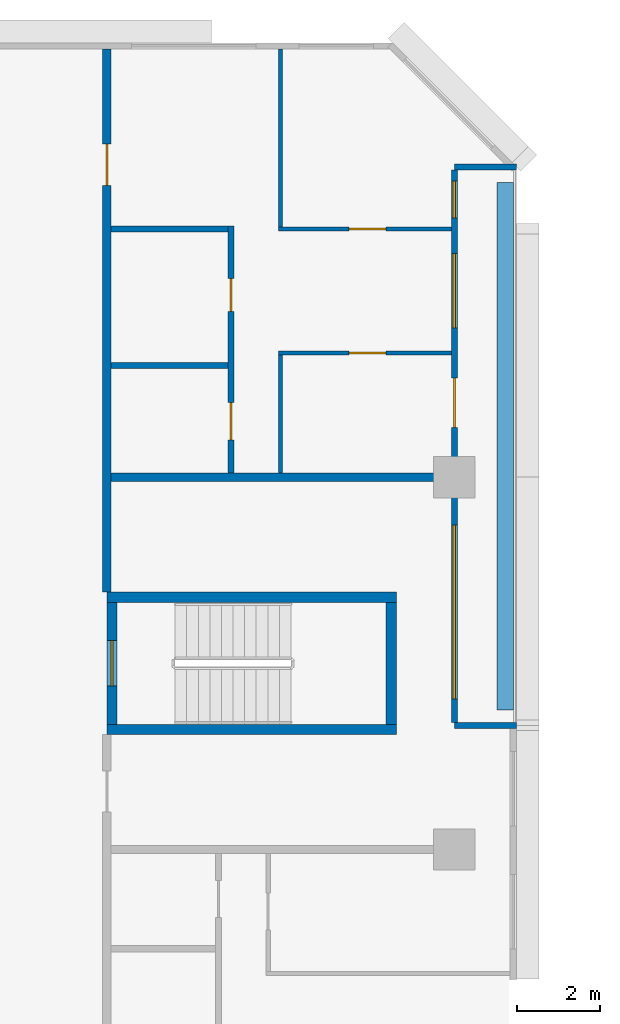
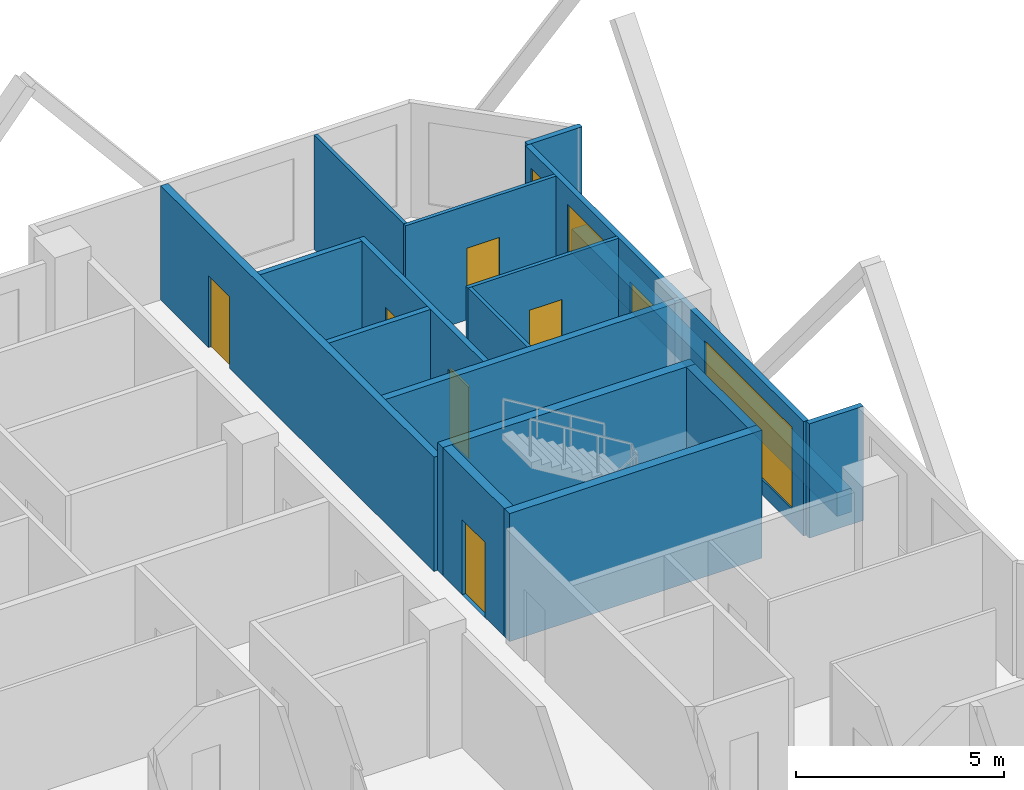
# One storey, part 10 of 14: 17 walls, 7 doors, 3 windows, 10 openings.
"""IFC4 building model written with IfcOpenShell, lengths in metres."""

from ifc_helpers import new_model, si_unit, direction, frame, frame_2d, origin, place, context, subcontext, project, spatial, rectangle, extrude, material, layer, layer_set, type_object, element, fill, save


model = new_model("IFC4")

# Units and contexts
model_context = context("Model", 3, precision=1e-05, world=origin(), true_north=direction((0.0, 1.0)))
body_context = subcontext(model_context, "Body", "Model", "MODEL_VIEW")
ifc_project = project(units=[si_unit("LENGTHUNIT", "METRE"), si_unit("AREAUNIT", "SQUARE_METRE"), si_unit("VOLUMEUNIT", "CUBIC_METRE"), si_unit("PLANEANGLEUNIT", "RADIAN"), si_unit("MASSUNIT", "GRAM", prefix="KILO")], contexts=[model_context])

# Site, building, storey
site_placement = place(None, origin())
site = spatial("IfcSite", under=ifc_project, at=site_placement, CompositionType="ELEMENT")
building_placement = place(site_placement, origin())
building = spatial("IfcBuilding", under=site, at=building_placement, Name="Chenar Terraces", CompositionType="ELEMENT")
storey_placement = place(building_placement, frame((0.0, 0.0, 91.89990234375)))
storey = spatial("IfcBuildingStorey", under=building, at=storey_placement, Name="L20", CompositionType="ELEMENT", Elevation=91.89990234375)

# Walls
ifc_material_1 = material(Name="Concrete C70/85", Category="concrete")
ifc_layer_1 = layer(ifc_material_1, 0.25)
ifc_layer_set_1 = layer_set([ifc_layer_1], Name="Concrete C70/85")
wall_type_1 = type_object("IfcWallType", Name="Core wall 250 Concrete C70/85", PredefinedType="SHEAR", material=ifc_layer_set_1)
for number, where, z_axis, x_axis, name in (
    (1, (15.60009765625, 47.89990234375, 0.0), (0.0, 0.0, 1.0), (1.0, 0.0, 0.0), "Core wall ST4_S L20"),
    (2, (15.60009765625, 51.10009765625, 0.0), (0.0, 0.0, 1.0), (1.0, 0.0, 0.0), "Core wall ST4_N L20"),
):
    element("IfcWall", number, at=place(storey_placement, frame(where, z_axis=z_axis, x_axis=x_axis)), inside=storey, type_object=wall_type_1, Name=name, PredefinedType="SHEAR", context=body_context, shape_type="SweptSolid", body=[
        extrude(rectangle(XDim=7.0, YDim=0.25, at=frame_2d((3.5, 0.0))), origin(), (0.0, 0.0, 1.0), 3.75),
    ])

# Wall, opening, door
wall_1_placement = place(storey_placement, frame((15.72509765625, 48.02490234375, 0.0), z_axis=(0.0, 0.0, 1.0), x_axis=(0.0, 1.0, 0.0)))
wall_1 = element("IfcWall", 3, at=wall_1_placement, inside=storey, type_object=wall_type_1, Name="Core wall ST4_W L20", PredefinedType="SHEAR", context=body_context, shape_type="SweptSolid", body=[
    extrude(rectangle(XDim=2.9501953125, YDim=0.25, at=frame_2d((1.47509765625, 0.0))), origin(), (0.0, 0.0, 1.0), 3.75),
])
opening_1_placement = place(wall_1_placement, frame((0.925048828125, 0.0, 0.0)))
opening_1 = element("IfcOpeningElement", 4, at=opening_1_placement, cuts=wall_1, Name="Opening DL20-C9", PredefinedType="OPENING", context=body_context, shape_type="SweptSolid", body=[
    extrude(rectangle(XDim=1.10009765625, YDim=2.199951171875, at=frame_2d((0.550048828125, 1.10009765625))), frame((0.0, 0.135009765625, 0.0), z_axis=(0.0, -1.0, 0.0), x_axis=(1.0, 0.0, 0.0)), (0.0, 0.0, 1.0), 0.27001953125),
])
ifc_material_2 = material(Name="Steel-framed fire-resisting door leaf", Category="steel")
door_type_1 = type_object("IfcDoorType", Name="Stair fire door FD60 1100 x 2200", OperationType="SINGLE_SWING_LEFT", PredefinedType="DOOR", material=ifc_material_2)
door_1_placement = place(opening_1_placement, frame((1.10009765625, 0.0, 0.0), z_axis=(0.0, 0.0, 1.0), x_axis=(-1.0, 0.0, 0.0)))
door_1 = element("IfcDoor", 5, at=door_1_placement, inside=storey, type_object=door_type_1, Name="Stair door DL20-C9", OperationType="SINGLE_SWING_RIGHT", OverallHeight=2.199951171875, OverallWidth=1.10009765625, PredefinedType="DOOR", context=body_context, shape_type="SweptSolid", body=[
    extrude(rectangle(XDim=1.10009765625, YDim=2.199951171875, at=frame_2d((0.550048828125, 1.10009765625))), frame((0.0, 0.02490234375, 0.0), z_axis=(0.0, -1.0, 0.0), x_axis=(1.0, 0.0, 0.0)), (0.0, 0.0, 1.0), 0.050048828125),
])
fill(opening_1, door_1)

# Wall
wall_2_placement = place(storey_placement, frame((22.47509765625, 48.02490234375, 0.0), z_axis=(0.0, 0.0, 1.0), x_axis=(0.0, 1.0, 0.0)))
element("IfcWall", 6, at=wall_2_placement, inside=storey, type_object=wall_type_1, Name="Core wall ST4_E L20", PredefinedType="SHEAR", context=body_context, shape_type="SweptSolid", body=[
    extrude(rectangle(XDim=2.9501953125, YDim=0.25, at=frame_2d((1.47509765625, 0.0))), origin(), (0.0, 0.0, 1.0), 3.75),
])

# Wall, opening, door
ifc_material_3 = material(Name="Gypsum board on steel studs with fire boards", Category="steel")
ifc_layer_2 = layer(ifc_material_3, 0.199951171875)
ifc_layer_set_2 = layer_set([ifc_layer_2], Name="Gypsum board on steel studs with fire boards")
wall_type_2 = type_object("IfcWallType", Name="Corridor wall 200", PredefinedType="PARTITIONING", material=ifc_layer_set_2)
wall_3_placement = place(storey_placement, frame((15.60009765625, 51.22509765625, 0.0), z_axis=(0.0, 0.0, 1.0), x_axis=(0.0, 1.0, 0.0)))
wall_3 = element("IfcWall", 7, at=wall_3_placement, inside=storey, type_object=wall_type_2, Name="Partition L20-039", PredefinedType="PARTITIONING", context=body_context, shape_type="SweptSolid", body=[
    extrude(rectangle(XDim=13.125, YDim=0.199951171875, at=frame_2d((6.5625, 0.0))), origin(), (0.0, 0.0, 1.0), 3.35009765625),
])
opening_2_placement = place(wall_3_placement, frame((9.824951171875, 0.0, 0.0)))
opening_2 = element("IfcOpeningElement", 8, at=opening_2_placement, cuts=wall_3, Name="Opening DL20-34", PredefinedType="OPENING", context=body_context, shape_type="SweptSolid", body=[
    extrude(rectangle(XDim=1.0, YDim=2.10009765625, at=frame_2d((0.5, 1.050048828125))), frame((0.0, 0.10986328125, 0.0), z_axis=(0.0, -1.0, 0.0), x_axis=(1.0, 0.0, 0.0)), (0.0, 0.0, 1.0), 0.219970703125),
])
ifc_material_4 = material(Name="Steel-framed fire-resisting door leaf", Category="steel")
door_type_2 = type_object("IfcDoorType", Name="Fire door FD30S 1000 x 2100", OperationType="SINGLE_SWING_LEFT", PredefinedType="DOOR", material=ifc_material_4)
door_2_placement = place(opening_2_placement, frame((1.0, 0.0, 0.0), z_axis=(0.0, 0.0, 1.0), x_axis=(-1.0, 0.0, 0.0)))
door_2 = element("IfcDoor", 9, at=door_2_placement, inside=storey, type_object=door_type_2, Name="Door DL20-34", OperationType="SINGLE_SWING_RIGHT", OverallHeight=2.10009765625, OverallWidth=1.0, PredefinedType="DOOR", context=body_context, shape_type="SweptSolid", body=[
    extrude(rectangle(XDim=1.0, YDim=2.10009765625, at=frame_2d((0.5, 1.050048828125))), frame((0.0, 0.02490234375, 0.0), z_axis=(0.0, -1.0, 0.0), x_axis=(1.0, 0.0, 0.0)), (0.0, 0.0, 1.0), 0.050048828125),
])
fill(opening_2, door_2)

# Wall, openings, windows, door
ifc_material_5 = material(Name="Aluminium framed glazing", Category="aluminium")
ifc_layer_3 = layer(ifc_material_5, 0.14990234375)
ifc_layer_set_3 = layer_set([ifc_layer_3], Name="Aluminium framed glazing")
wall_type_3 = type_object("IfcWallType", Name="Glazed loggia back wall 150", PredefinedType="SOLIDWALL", material=ifc_layer_set_3)
wall_4_placement = place(storey_placement, frame((24.0, 48.074951171875, 0.0), z_axis=(0.0, 0.0, 1.0), x_axis=(0.0, 1.0, 0.0)))
wall_4 = element("IfcWall", 10, at=wall_4_placement, inside=storey, type_object=wall_type_3, Name="Glazed loggia back wall", PredefinedType="SOLIDWALL", context=body_context, shape_type="SweptSolid", body=[
    extrude(rectangle(XDim=13.35009765625, YDim=0.14990234375, at=frame_2d((6.675048828125, 0.0))), origin(), (0.0, 0.0, 1.0), 3.35009765625),
])
opening_3_placement = place(wall_4_placement, frame((0.5625, 0.0, 0.449951171875)))
opening_3 = element("IfcOpeningElement", 11, at=opening_3_placement, cuts=wall_4, Name="Opening W420x240", PredefinedType="OPENING", context=body_context, shape_type="SweptSolid", body=[
    extrude(rectangle(XDim=4.199951171875, YDim=2.39990234375, at=frame_2d((2.10009765625, 1.199951171875))), frame((0.0, 0.0849609375, 0.0), z_axis=(0.0, -1.0, 0.0), x_axis=(1.0, 0.0, 0.0)), (0.0, 0.0, 1.0), 0.169921875),
])
opening_4_placement = place(wall_4_placement, frame((7.125, 0.0, 0.0)))
opening_4 = element("IfcOpeningElement", 12, at=opening_4_placement, cuts=wall_4, Name="Opening DL20-G2", PredefinedType="OPENING", context=body_context, shape_type="SweptSolid", body=[
    extrude(rectangle(XDim=1.199951171875, YDim=2.39990234375, at=frame_2d((0.60009765625, 1.199951171875))), frame((0.0, 0.0849609375, 0.0), z_axis=(0.0, -1.0, 0.0), x_axis=(1.0, 0.0, 0.0)), (0.0, 0.0, 1.0), 0.169921875),
])
opening_5_placement = place(wall_4_placement, frame((9.52490234375, 0.0, 0.449951171875)))
opening_5 = element("IfcOpeningElement", 13, at=opening_5_placement, cuts=wall_4, Name="Opening W180x240", PredefinedType="OPENING", context=body_context, shape_type="SweptSolid", body=[
    extrude(rectangle(XDim=1.800048828125, YDim=2.39990234375, at=frame_2d((0.89990234375, 1.199951171875))), frame((0.0, 0.0849609375, 0.0), z_axis=(0.0, -1.0, 0.0), x_axis=(1.0, 0.0, 0.0)), (0.0, 0.0, 1.0), 0.169921875),
])
opening_6_placement = place(wall_4_placement, frame((12.1875, 0.0, 0.449951171875)))
opening_6 = element("IfcOpeningElement", 14, at=opening_6_placement, cuts=wall_4, Name="Opening W90x240", PredefinedType="OPENING", context=body_context, shape_type="SweptSolid", body=[
    extrude(rectangle(XDim=0.89990234375, YDim=2.39990234375, at=frame_2d((0.449951171875, 1.199951171875))), frame((0.0, 0.0849609375, 0.0), z_axis=(0.0, -1.0, 0.0), x_axis=(1.0, 0.0, 0.0)), (0.0, 0.0, 1.0), 0.169921875),
])
ifc_material_6 = material(Name="Low emissivity double glazing, aluminium frame", Category="aluminium")
window_type_1 = type_object("IfcWindowType", Name="Fixed light 1800 x 2400", PartitioningType="SINGLE_PANEL", PredefinedType="WINDOW", material=ifc_material_6)
window_1_placement = place(opening_5_placement, origin())
window_1 = element("IfcWindow", 15, at=window_1_placement, inside=storey, type_object=window_type_1, Name="Window", OverallHeight=2.39990234375, OverallWidth=1.800048828125, PartitioningType="SINGLE_PANEL", PredefinedType="WINDOW", context=body_context, shape_type="SweptSolid", body=[
    extrude(rectangle(XDim=1.800048828125, YDim=2.39990234375, at=frame_2d((0.89990234375, 1.199951171875))), frame((0.0, 0.030029296875, 0.0), z_axis=(0.0, -1.0, 0.0), x_axis=(1.0, 0.0, 0.0)), (0.0, 0.0, 1.0), 0.06005859375),
])
fill(opening_5, window_1)
ifc_material_7 = material(Name="Low emissivity double glazing, aluminium frame", Category="aluminium")
window_type_2 = type_object("IfcWindowType", Name="Fixed light 4200 x 2400", PartitioningType="SINGLE_PANEL", PredefinedType="WINDOW", material=ifc_material_7)
window_2_placement = place(opening_3_placement, origin())
window_2 = element("IfcWindow", 16, at=window_2_placement, inside=storey, type_object=window_type_2, Name="Window", OverallHeight=2.39990234375, OverallWidth=4.199951171875, PartitioningType="SINGLE_PANEL", PredefinedType="WINDOW", context=body_context, shape_type="SweptSolid", body=[
    extrude(rectangle(XDim=4.199951171875, YDim=2.39990234375, at=frame_2d((2.10009765625, 1.199951171875))), frame((0.0, 0.030029296875, 0.0), z_axis=(0.0, -1.0, 0.0), x_axis=(1.0, 0.0, 0.0)), (0.0, 0.0, 1.0), 0.06005859375),
])
fill(opening_3, window_2)
ifc_material_8 = material(Name="Low emissivity double glazing, aluminium frame", Category="aluminium")
window_type_3 = type_object("IfcWindowType", Name="Fixed light 900 x 2400", PartitioningType="SINGLE_PANEL", PredefinedType="WINDOW", material=ifc_material_8)
window_3_placement = place(opening_6_placement, origin())
window_3 = element("IfcWindow", 17, at=window_3_placement, inside=storey, type_object=window_type_3, Name="Window", OverallHeight=2.39990234375, OverallWidth=0.89990234375, PartitioningType="SINGLE_PANEL", PredefinedType="WINDOW", context=body_context, shape_type="SweptSolid", body=[
    extrude(rectangle(XDim=0.89990234375, YDim=2.39990234375, at=frame_2d((0.449951171875, 1.199951171875))), frame((0.0, 0.030029296875, 0.0), z_axis=(0.0, -1.0, 0.0), x_axis=(1.0, 0.0, 0.0)), (0.0, 0.0, 1.0), 0.06005859375),
])
fill(opening_6, window_3)
ifc_material_9 = material(Name="Low emissivity double glazing, aluminium frame", Category="aluminium")
door_type_3 = type_object("IfcDoorType", Name="Loggia glazed double door 1200 x 2400", OperationType="DOUBLE_DOOR_SINGLE_SWING", PredefinedType="DOOR", material=ifc_material_9)
door_3_placement = place(opening_4_placement, frame((1.199951171875, 0.0, 0.0), z_axis=(0.0, 0.0, 1.0), x_axis=(-1.0, 0.0, 0.0)))
door_3 = element("IfcDoor", 18, at=door_3_placement, inside=storey, type_object=door_type_3, Name="Loggia glazed door", OperationType="DOUBLE_DOOR_SINGLE_SWING", OverallHeight=2.39990234375, OverallWidth=1.199951171875, PredefinedType="DOOR", context=body_context, shape_type="SweptSolid", body=[
    extrude(rectangle(XDim=1.199951171875, YDim=2.39990234375, at=frame_2d((0.60009765625, 1.199951171875))), frame((0.0, 0.02490234375, 0.0), z_axis=(0.0, -1.0, 0.0), x_axis=(1.0, 0.0, 0.0)), (0.0, 0.0, 1.0), 0.050048828125),
])
fill(opening_4, door_3)

# Wall, opening, door
ifc_material_10 = material(Name="Gypsum board on steel studs", Category="steel")
ifc_layer_4 = layer(ifc_material_10, 0.10009765625)
ifc_layer_set_4 = layer_set([ifc_layer_4], Name="Gypsum board on steel studs")
wall_type_4 = type_object("IfcWallType", Name="Gypsum partition 100", PredefinedType="PARTITIONING", material=ifc_layer_set_4)
wall_5_placement = place(storey_placement, frame((19.75, 57.0, 0.0), z_axis=(0.0, 0.0, 1.0), x_axis=(1.0, 0.0, 0.0)))
wall_5 = element("IfcWall", 19, at=wall_5_placement, inside=storey, type_object=wall_type_4, Name="Partition L20-055", PredefinedType="PARTITIONING", context=body_context, shape_type="SweptSolid", body=[
    extrude(rectangle(XDim=4.176025390625, YDim=0.10009765625, at=frame_2d((2.087890625, 0.0))), origin(), (0.0, 0.0, 1.0), 3.35009765625),
])
opening_7_placement = place(wall_5_placement, frame((1.699951171875, 0.0, 0.0)))
opening_7 = element("IfcOpeningElement", 20, at=opening_7_placement, cuts=wall_5, Name="Opening DL20-31", PredefinedType="OPENING", context=body_context, shape_type="SweptSolid", body=[
    extrude(rectangle(XDim=0.89990234375, YDim=2.10009765625, at=frame_2d((0.449951171875, 1.050048828125))), frame((0.0, 0.06005859375, 0.0), z_axis=(0.0, -1.0, 0.0), x_axis=(1.0, 0.0, 0.0)), (0.0, 0.0, 1.0), 0.1201171875),
])
ifc_material_11 = material(Name="Veneered timber door leaf", Category="wood")
door_type_4 = type_object("IfcDoorType", Name="Door 900 x 2100", OperationType="SINGLE_SWING_LEFT", PredefinedType="DOOR", material=ifc_material_11)
door_4_placement = place(opening_7_placement, frame((0.89990234375, 0.0, 0.0), z_axis=(0.0, 0.0, 1.0), x_axis=(-1.0, 0.0, 0.0)))
door_4 = element("IfcDoor", 21, at=door_4_placement, inside=storey, type_object=door_type_4, Name="Door DL20-31", OperationType="SINGLE_SWING_RIGHT", OverallHeight=2.10009765625, OverallWidth=0.89990234375, PredefinedType="DOOR", context=body_context, shape_type="SweptSolid", body=[
    extrude(rectangle(XDim=0.89990234375, YDim=2.10009765625, at=frame_2d((0.449951171875, 1.050048828125))), frame((0.0, 0.02490234375, 0.0), z_axis=(0.0, -1.0, 0.0), x_axis=(1.0, 0.0, 0.0)), (0.0, 0.0, 1.0), 0.050048828125),
])
fill(opening_7, door_4)

wall_6_placement = place(storey_placement, frame((19.75, 60.0, 0.0), z_axis=(0.0, 0.0, 1.0), x_axis=(1.0, 0.0, 0.0)))
wall_6 = element("IfcWall", 22, at=wall_6_placement, inside=storey, type_object=wall_type_4, Name="Partition L20-056", PredefinedType="PARTITIONING", context=body_context, shape_type="SweptSolid", body=[
    extrude(rectangle(XDim=4.176025390625, YDim=0.10009765625, at=frame_2d((2.087890625, 0.0))), origin(), (0.0, 0.0, 1.0), 3.35009765625),
])
opening_8_placement = place(wall_6_placement, frame((1.699951171875, 0.0, 0.0)))
opening_8 = element("IfcOpeningElement", 23, at=opening_8_placement, cuts=wall_6, Name="Opening DL20-32", PredefinedType="OPENING", context=body_context, shape_type="SweptSolid", body=[
    extrude(rectangle(XDim=0.89990234375, YDim=2.10009765625, at=frame_2d((0.449951171875, 1.050048828125))), frame((0.0, 0.06005859375, 0.0), z_axis=(0.0, -1.0, 0.0), x_axis=(1.0, 0.0, 0.0)), (0.0, 0.0, 1.0), 0.1201171875),
])
door_5_placement = place(opening_8_placement, origin())
door_5 = element("IfcDoor", 24, at=door_5_placement, inside=storey, type_object=door_type_4, Name="Door DL20-32", OperationType="SINGLE_SWING_LEFT", OverallHeight=2.10009765625, OverallWidth=0.89990234375, PredefinedType="DOOR", context=body_context, shape_type="SweptSolid", body=[
    extrude(rectangle(XDim=0.89990234375, YDim=2.10009765625, at=frame_2d((0.449951171875, 1.050048828125))), frame((0.0, 0.02490234375, 0.0), z_axis=(0.0, -1.0, 0.0), x_axis=(1.0, 0.0, 0.0)), (0.0, 0.0, 1.0), 0.050048828125),
])
fill(opening_8, door_5)

# Walls
wall_7_placement = place(storey_placement, frame((19.800048828125, 54.10009765625, 0.0), z_axis=(0.0, 0.0, 1.0), x_axis=(0.0, 1.0, 0.0)))
element("IfcWall", 25, at=wall_7_placement, inside=storey, type_object=wall_type_4, Name="Partition L20-057", PredefinedType="PARTITIONING", context=body_context, shape_type="SweptSolid", body=[
    extrude(rectangle(XDim=2.849853515625, YDim=0.10009765625, at=frame_2d((1.4248046875, 0.0))), origin(), (0.0, 0.0, 1.0), 3.35009765625),
])
wall_8_placement = place(storey_placement, frame((19.800048828125, 60.050048828125, 0.0), z_axis=(0.0, 0.0, 1.0), x_axis=(0.0, 1.0, 0.0)))
element("IfcWall", 26, at=wall_8_placement, inside=storey, type_object=wall_type_4, Name="Partition L20-058", PredefinedType="PARTITIONING", context=body_context, shape_type="SweptSolid", body=[
    extrude(rectangle(XDim=4.300048828125, YDim=0.10009765625, at=frame_2d((2.14990234375, 0.0))), origin(), (0.0, 0.0, 1.0), 3.35009765625),
])
ifc_material_12 = material(Name="Terracotta cladding on insulated backing", Category="masonry")
ifc_layer_5 = layer(ifc_material_12, 0.14990234375)
ifc_layer_set_5 = layer_set([ifc_layer_5], Name="Terracotta cladding on insulated backing")
wall_type_5 = type_object("IfcWallType", Name="Loggia return wall 150", PredefinedType="SOLIDWALL", material=ifc_layer_set_5)
for number, where, z_axis, x_axis, name in (
    (27, (25.5, 48.0, 0.0), (0.0, 0.0, 1.0), (-1.0, 0.0, 0.0), "Loggia return wall"),
    (28, (25.5, 61.5, 0.0), (0.0, 0.0, 1.0), (-1.0, 0.0, 0.0), "Loggia return wall"),
):
    element("IfcWall", number, at=place(storey_placement, frame(where, z_axis=z_axis, x_axis=x_axis)), inside=storey, type_object=wall_type_5, Name=name, PredefinedType="SOLIDWALL", context=body_context, shape_type="SweptSolid", body=[
        extrude(rectangle(XDim=1.5, YDim=0.14990234375, at=frame_2d((0.75, 0.0))), origin(), (0.0, 0.0, 1.0), 3.35009765625),
    ])
ifc_material_13 = material(Name="Twin gypsum board on steel studs with mineral wool", Category="steel")
ifc_layer_6 = layer(ifc_material_13, 0.199951171875)
ifc_layer_set_6 = layer_set([ifc_layer_6], Name="Twin gypsum board on steel studs with mineral wool")
wall_type_6 = type_object("IfcWallType", Name="Unit demising wall 200", PredefinedType="PARTITIONING", material=ifc_layer_set_6)
wall_9_placement = place(storey_placement, frame((15.699951171875, 54.0, 0.0), z_axis=(0.0, 0.0, 1.0), x_axis=(1.0, 0.0, 0.0)))
element("IfcWall", 29, at=wall_9_placement, inside=storey, type_object=wall_type_6, Name="Partition L20-046", PredefinedType="PARTITIONING", context=body_context, shape_type="SweptSolid", body=[
    extrude(rectangle(XDim=8.22607421875, YDim=0.199951171875, at=frame_2d((4.113037109375, 0.0))), origin(), (0.0, 0.0, 1.0), 3.35009765625),
])
ifc_material_14 = material(Name="GRP planter trough")
ifc_layer_7 = layer(ifc_material_14, 0.39990234375)
ifc_layer_set_7 = layer_set([ifc_layer_7], Name="GRP planter trough")
wall_type_7 = type_object("IfcWallType", Name="Vertical greenery planter 400", PredefinedType="SOLIDWALL", material=ifc_layer_set_7)
wall_10_placement = place(storey_placement, frame((25.22900390625, 48.375, 0.0), z_axis=(0.0, 0.0, 1.0), x_axis=(0.0, 1.0, 0.0)))
element("IfcWall", 30, at=wall_10_placement, inside=storey, type_object=wall_type_7, Name="Vertical greenery planter", PredefinedType="SOLIDWALL", context=body_context, shape_type="SweptSolid", body=[
    extrude(rectangle(XDim=12.75, YDim=0.39990234375, at=frame_2d((6.375, 0.0))), origin(), (0.0, 0.0, 1.0), 0.7001953125),
])
ifc_material_15 = material(Name="Moisture-resistant gypsum board on steel studs", Category="steel")
ifc_layer_8 = layer(ifc_material_15, 0.14990234375)
ifc_layer_set_8 = layer_set([ifc_layer_8], Name="Moisture-resistant gypsum board on steel studs")
wall_type_8 = type_object("IfcWallType", Name="Wet-room partition 150", PredefinedType="PARTITIONING", material=ifc_layer_set_8)
for number, where, z_axis, x_axis, name in (
    (31, (15.699951171875, 56.699951171875, 0.0), (0.0, 0.0, 1.0), (1.0, 0.0, 0.0), "Partition L20-047"),
    (32, (15.699951171875, 60.0, 0.0), (0.0, 0.0, 1.0), (1.0, 0.0, 0.0), "Partition L20-048"),
):
    element("IfcWall", number, at=place(storey_placement, frame(where, z_axis=z_axis, x_axis=x_axis)), inside=storey, type_object=wall_type_8, Name=name, PredefinedType="PARTITIONING", context=body_context, shape_type="SweptSolid", body=[
        extrude(rectangle(XDim=2.824951171875, YDim=0.14990234375, at=frame_2d((1.41259765625, 0.0))), origin(), (0.0, 0.0, 1.0), 3.35009765625),
    ])

# Wall, openings, doors
wall_11_placement = place(storey_placement, frame((18.60009765625, 54.10009765625, 0.0), z_axis=(0.0, 0.0, 1.0), x_axis=(0.0, 1.0, 0.0)))
wall_11 = element("IfcWall", 33, at=wall_11_placement, inside=storey, type_object=wall_type_8, Name="Partition L20-050", PredefinedType="PARTITIONING", context=body_context, shape_type="SweptSolid", body=[
    extrude(rectangle(XDim=5.974853515625, YDim=0.14990234375, at=frame_2d((2.9873046875, 0.0))), origin(), (0.0, 0.0, 1.0), 3.35009765625),
])
opening_9_placement = place(wall_11_placement, frame((3.89990234375, 0.0, 0.0)))
opening_9 = element("IfcOpeningElement", 34, at=opening_9_placement, cuts=wall_11, Name="Opening DL20-30", PredefinedType="OPENING", context=body_context, shape_type="SweptSolid", body=[
    extrude(rectangle(XDim=0.800048828125, YDim=2.10009765625, at=frame_2d((0.39990234375, 1.050048828125))), frame((0.0, 0.0849609375, 0.0), z_axis=(0.0, -1.0, 0.0), x_axis=(1.0, 0.0, 0.0)), (0.0, 0.0, 1.0), 0.169921875),
])
opening_10_placement = place(wall_11_placement, frame((0.800048828125, 0.0, 0.0)))
opening_10 = element("IfcOpeningElement", 35, at=opening_10_placement, cuts=wall_11, Name="Opening DL20-33", PredefinedType="OPENING", context=body_context, shape_type="SweptSolid", body=[
    extrude(rectangle(XDim=0.89990234375, YDim=2.10009765625, at=frame_2d((0.449951171875, 1.050048828125))), frame((0.0, 0.0849609375, 0.0), z_axis=(0.0, -1.0, 0.0), x_axis=(1.0, 0.0, 0.0)), (0.0, 0.0, 1.0), 0.169921875),
])
ifc_material_16 = material(Name="Veneered timber door leaf", Category="wood")
door_type_5 = type_object("IfcDoorType", Name="Door 800 x 2100", OperationType="SINGLE_SWING_LEFT", PredefinedType="DOOR", material=ifc_material_16)
door_6_placement = place(opening_9_placement, origin())
door_6 = element("IfcDoor", 36, at=door_6_placement, inside=storey, type_object=door_type_5, Name="Door DL20-30", OperationType="SINGLE_SWING_RIGHT", OverallHeight=2.10009765625, OverallWidth=0.800048828125, PredefinedType="DOOR", context=body_context, shape_type="SweptSolid", body=[
    extrude(rectangle(XDim=0.800048828125, YDim=2.10009765625, at=frame_2d((0.39990234375, 1.050048828125))), frame((0.0, 0.02490234375, 0.0), z_axis=(0.0, -1.0, 0.0), x_axis=(1.0, 0.0, 0.0)), (0.0, 0.0, 1.0), 0.050048828125),
])
fill(opening_9, door_6)
door_7_placement = place(opening_10_placement, origin())
door_7 = element("IfcDoor", 37, at=door_7_placement, inside=storey, type_object=door_type_4, Name="Door DL20-33", OperationType="SINGLE_SWING_RIGHT", OverallHeight=2.10009765625, OverallWidth=0.89990234375, PredefinedType="DOOR", context=body_context, shape_type="SweptSolid", body=[
    extrude(rectangle(XDim=0.89990234375, YDim=2.10009765625, at=frame_2d((0.449951171875, 1.050048828125))), frame((0.0, 0.02490234375, 0.0), z_axis=(0.0, -1.0, 0.0), x_axis=(1.0, 0.0, 0.0)), (0.0, 0.0, 1.0), 0.050048828125),
])
fill(opening_10, door_7)

save(model, "model.ifc")
